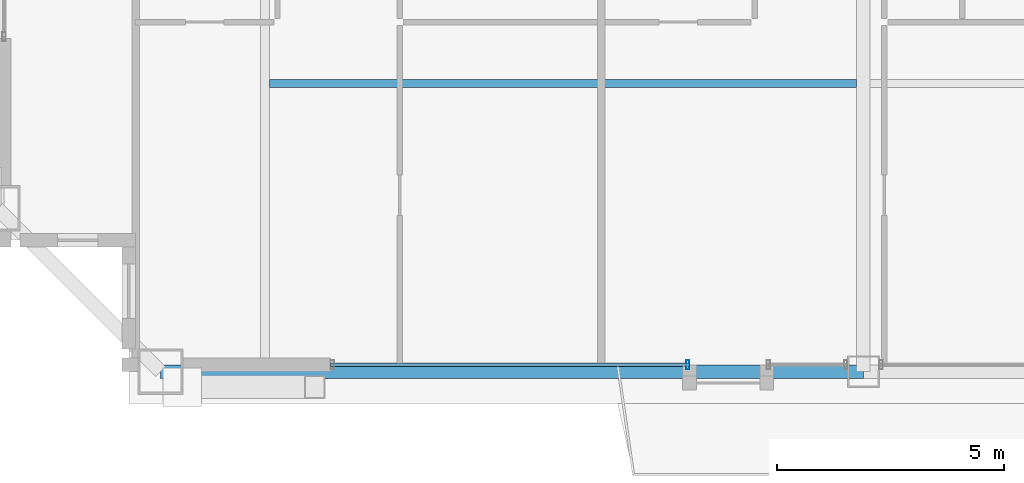
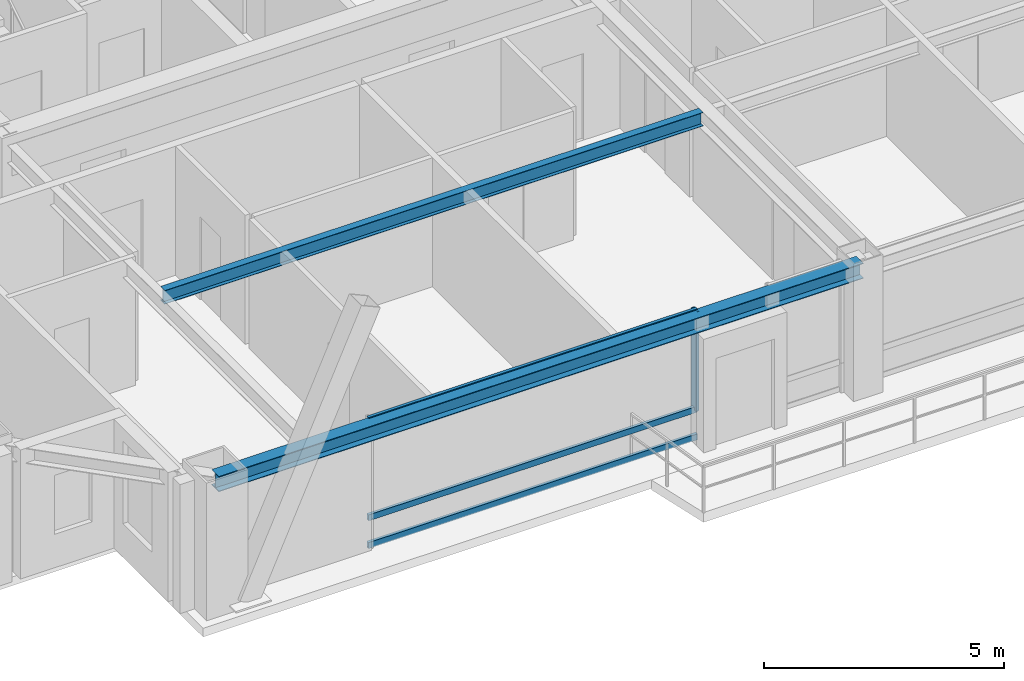
# One storey, part 5 of 35: 4 members, 2 beams, 1 element without a shape of its own.
"""IFC4 building model written with IfcOpenShell, lengths in metres."""

from ifc_helpers import new_model, si_unit, direction, frame, origin, origin_2d, place, context, subcontext, project, spatial, hollow_rectangle, i_section, extrude, source, transform, mapped, material, layer, layer_set, material_profile, profile_set, type_object, element, aggregate, save


model = new_model("IFC4")

# Units and contexts
model_context = context("Model", 3, precision=1e-05, world=origin(), true_north=direction((0.0, 1.0)))
body_context = subcontext(model_context, "Body", "Model", "MODEL_VIEW")
ifc_project = project(units=[si_unit("LENGTHUNIT", "METRE"), si_unit("AREAUNIT", "SQUARE_METRE"), si_unit("VOLUMEUNIT", "CUBIC_METRE"), si_unit("PLANEANGLEUNIT", "RADIAN"), si_unit("MASSUNIT", "GRAM", prefix="KILO"), si_unit("THERMODYNAMICTEMPERATUREUNIT", "KELVIN"), si_unit("POWERUNIT", "WATT")], contexts=[model_context])

# Site, building, storey
site_placement = place(None, origin())
site = spatial("IfcSite", under=ifc_project, at=site_placement, CompositionType="ELEMENT")
building_placement = place(site_placement, origin())
building = spatial("IfcBuilding", under=site, at=building_placement, Name="Yuzanri Waterfront Tower", CompositionType="ELEMENT")
storey_placement = place(building_placement, frame((0.0, 0.0, 314.699951171875)))
storey = spatial("IfcBuildingStorey", under=building, at=storey_placement, Name="L84", CompositionType="ELEMENT", Elevation=314.699951171875)

# Beams
ifc_material_1 = material(Name="Steel Q355B", Category="steel")
ifc_material_profile_1 = material_profile(ifc_material_1, i_section(OverallWidth=0.175048828125, OverallDepth=0.35009765625, WebThickness=0.007080078125, FlangeThickness=0.010986328125, at=origin_2d()), Name="HN 350x175x7x11")
ifc_profile_set_1 = profile_set([ifc_material_profile_1], Name="Steel Q355B")
beam_type_1 = type_object("IfcBeamType", Name="Floor Joist Q355B HN 350x175", PredefinedType="JOIST", material=ifc_profile_set_1)
shared_shape_1 = source(origin(), body_context, "Body", "SweptSolid", [
    extrude(i_section(OverallWidth=0.175048828125, OverallDepth=0.35009765625, WebThickness=0.007080078125, FlangeThickness=0.010986328125, at=origin_2d()), origin(), (0.0, 0.0, 1.0), 12.9501953125),
])
beam_1_placement = place(storey_placement, frame((23.89990234375, 13.050048828125, 3.10498046875), z_axis=(1.0, 0.0, 0.0), x_axis=(0.0, 1.0, 0.0)))
element("IfcBeam", 1, at=beam_1_placement, inside=storey, type_object=beam_type_1, Name="L84 South Bay Joist W", PredefinedType="JOIST", context=body_context, shape_type="MappedRepresentation", body=[
    mapped(shared_shape_1, transform((0.0, 0.0, 0.0), scale=1.0)),
])
ifc_material_2 = material(Name="Steel Q355B", Category="steel")
ifc_material_profile_2 = material_profile(ifc_material_2, i_section(OverallWidth=0.300048828125, OverallDepth=0.389892578125, WebThickness=0.010009765625, FlangeThickness=0.01611328125, at=origin_2d()), Name="HM 390x300x10x16")
ifc_profile_set_2 = profile_set([ifc_material_profile_2], Name="Steel Q355B")
beam_type_2 = type_object("IfcBeamType", Name="Perimeter Spandrel Q355B HM 390x300", PredefinedType="SPANDREL", material=ifc_profile_set_2)
shared_shape_2 = source(origin(), body_context, "Body", "SweptSolid", [
    extrude(i_section(OverallWidth=0.300048828125, OverallDepth=0.389892578125, WebThickness=0.010009765625, FlangeThickness=0.01611328125, at=origin_2d()), origin(), (0.0, 0.0, 1.0), 15.5),
])
beam_2_placement = place(storey_placement, frame((21.5, 6.699951171875, 3.0849609375), z_axis=(1.0, 0.0, 0.0), x_axis=(0.0, 1.0, 0.0)))
element("IfcBeam", 2, at=beam_2_placement, inside=storey, type_object=beam_type_2, Name="L84 Perimeter Spandrel S1-S2", PredefinedType="SPANDREL", context=body_context, shape_type="MappedRepresentation", body=[
    mapped(shared_shape_2, transform((0.0, 0.0, 0.0), scale=1.0)),
])

# Curtain wall, members
ifc_material_3 = material(Name="Anodized Architectural Bronze", Category="metal")
ifc_layer = layer(ifc_material_3, 0.159912109375)
ifc_layer_set = layer_set([ifc_layer], Name="Anodized Architectural Bronze")
curtain_wall_type = type_object("IfcCurtainWallType", Name="Anodized Bronze High-Rise Penthouse High-Wind Unitized Curtain Wall 6900", PredefinedType="NOTDEFINED", material=ifc_layer_set)
curtain_wall_placement = place(storey_placement, origin())
curtain_wall = element("IfcCurtainWall", 3, at=curtain_wall_placement, inside=storey, type_object=curtain_wall_type, Name="L84 Curtain Wall CW-L84-SL1", PredefinedType="NOTDEFINED")
ifc_material_4 = material(Name="Anodized Architectural Bronze", Category="metal")
ifc_material_profile_3 = material_profile(ifc_material_4, hollow_rectangle(XDim=0.074951171875, YDim=0.199951171875, WallThickness=0.00390625, at=origin_2d()), Name="CWM 75x200")
ifc_profile_set_3 = profile_set([ifc_material_profile_3], Name="Anodized Architectural Bronze")
member_type_1 = type_object("IfcMemberType", Name="Anodized Bronze Primary Curtain-Wall Mullion 75x200", PredefinedType="MULLION", material=ifc_profile_set_3)
shared_shape_3 = source(origin(), body_context, "Body", "SweptSolid", [
    extrude(hollow_rectangle(XDim=0.074951171875, YDim=0.199951171875, WallThickness=0.00390625, at=origin_2d()), origin(), (0.0, 0.0, 1.0), 2.52392578125),
])
member_1_placement = place(storey_placement, frame((33.125, 6.85009765625, 0.756103515625), z_axis=(0.0, 0.0, 1.0), x_axis=(1.0, 0.0, 0.0)))
member_1 = element("IfcMember", 4, at=member_1_placement, type_object=member_type_1, Name="CW-L84-SL1 Upper Mullion 01", PredefinedType="MULLION", context=body_context, shape_type="MappedRepresentation", body=[
    mapped(shared_shape_3, transform((0.0, 0.0, 0.0), scale=1.0)),
])
ifc_material_5 = material(Name="Anodized Architectural Bronze", Category="metal")
ifc_material_profile_4 = material_profile(ifc_material_5, hollow_rectangle(XDim=0.074951171875, YDim=0.14990234375, WallThickness=0.00390625, at=origin_2d()), Name="CWT 75x150")
ifc_profile_set_4 = profile_set([ifc_material_profile_4], Name="Anodized Architectural Bronze")
member_type_2 = type_object("IfcMemberType", Name="Anodized Bronze Primary Curtain-Wall Transom 75x150", PredefinedType="USERDEFINED", material=ifc_profile_set_4)
shared_shape_4 = source(origin(), body_context, "Body", "SweptSolid", [
    extrude(hollow_rectangle(XDim=0.074951171875, YDim=0.14990234375, WallThickness=0.00390625, at=origin_2d()), origin(), (0.0, 0.0, 1.0), 7.9150390625),
])
member_2_placement = place(storey_placement, frame((25.25, 6.85009765625, 0.050048828125), z_axis=(1.0, 0.0, 0.0), x_axis=(0.0, 1.0, 0.0)))
member_2 = element("IfcMember", 5, at=member_2_placement, type_object=member_type_2, Name="CW-L84-SL1 Transom 1", ObjectType="TRANSOM", PredefinedType="USERDEFINED", context=body_context, shape_type="MappedRepresentation", body=[
    mapped(shared_shape_4, transform((0.0, 0.0, 0.0), scale=1.0)),
])
member_3_placement = place(storey_placement, frame((25.25, 6.85009765625, 0.754150390625), z_axis=(1.0, 0.0, 0.0), x_axis=(0.0, 1.0, 0.0)))
member_3 = element("IfcMember", 6, at=member_3_placement, type_object=member_type_2, Name="CW-L84-SL1 Transom 2", ObjectType="TRANSOM", PredefinedType="USERDEFINED", context=body_context, shape_type="MappedRepresentation", body=[
    mapped(shared_shape_4, transform((0.0, 0.0, 0.0), scale=1.0)),
])
member_4_placement = place(storey_placement, frame((25.25, 6.85009765625, 3.22998046875), z_axis=(1.0, 0.0, 0.0), x_axis=(0.0, 1.0, 0.0)))
member_4 = element("IfcMember", 7, at=member_4_placement, type_object=member_type_2, Name="CW-L84-SL1 Transom 3", ObjectType="TRANSOM", PredefinedType="USERDEFINED", context=body_context, shape_type="MappedRepresentation", body=[
    mapped(shared_shape_4, transform((0.0, 0.0, 0.0), scale=1.0)),
])
aggregate(curtain_wall, [member_1, member_2, member_3, member_4])

save(model, "model.ifc")
